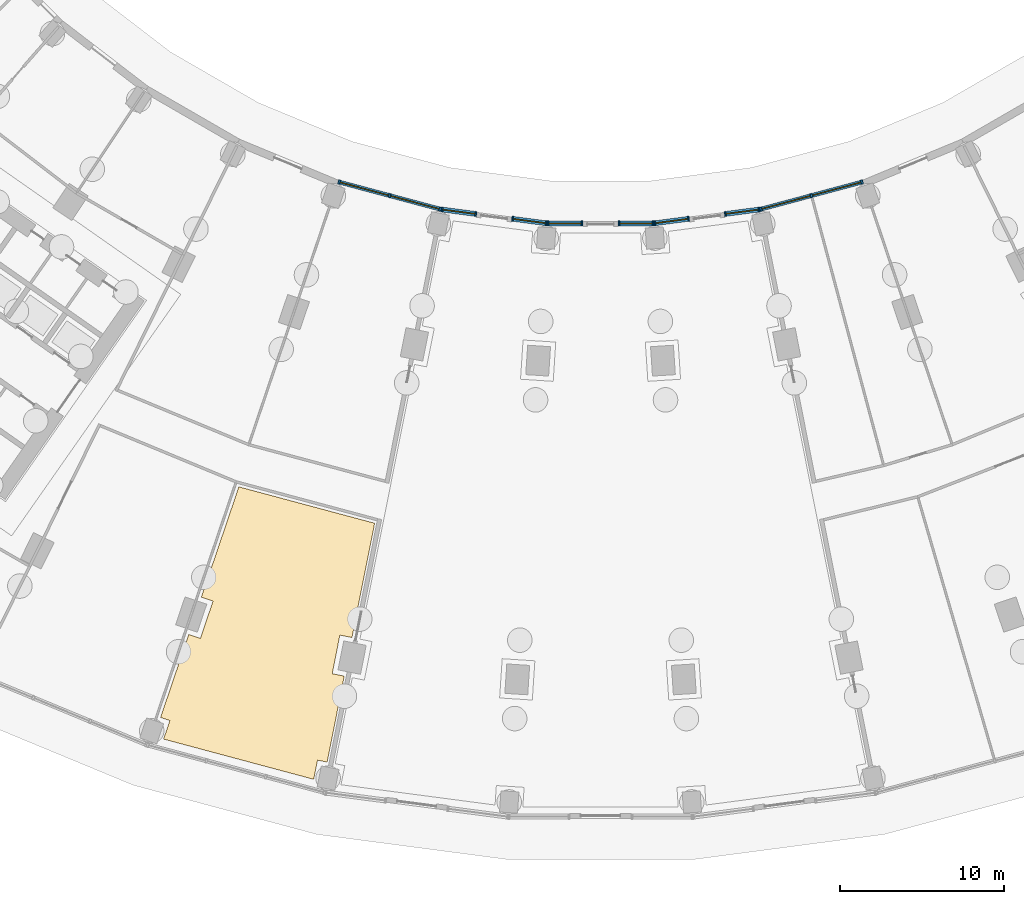
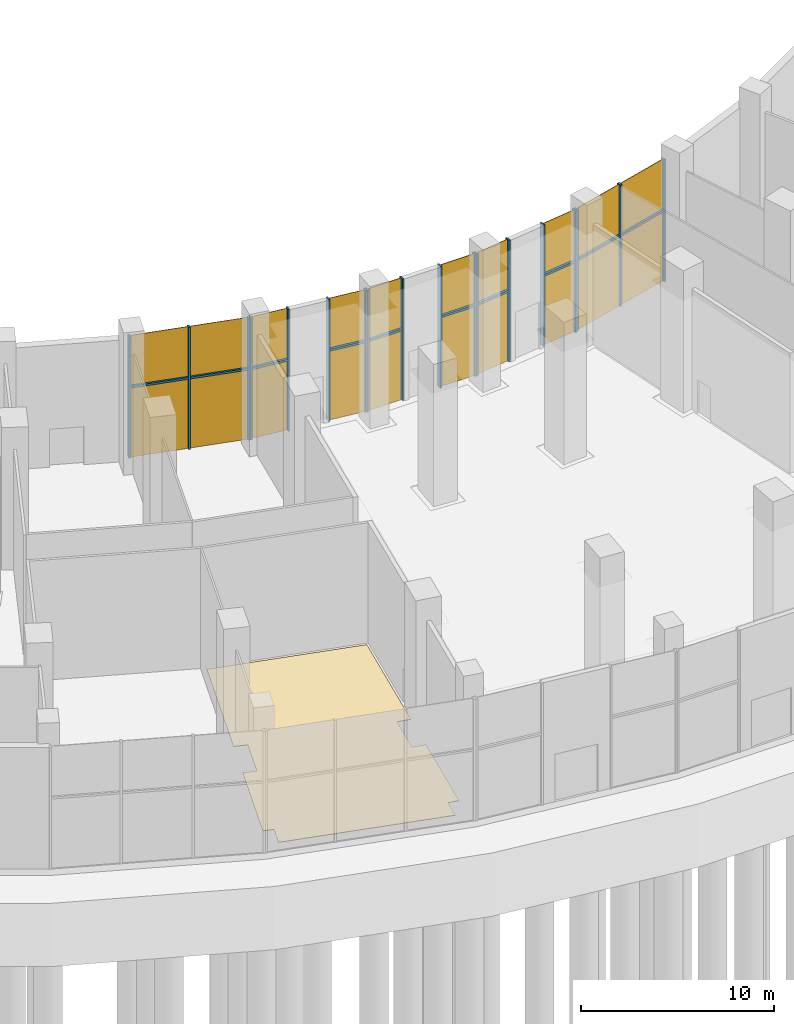
# One storey, part 16 of 23: 28 members, 8 curtain walls, 1 covering.
"""IFC4 building model written with IfcOpenShell, lengths in metres."""

from ifc_helpers import new_model, si_unit, direction, frame, origin, origin_2d, place, context, subcontext, project, spatial, polyline, rectangle, outline, extrude, material, layer, layer_set, material_profile, profile_set, type_object, element, aggregate, save


model = new_model("IFC4")

# Units and contexts
model_context = context("Model", 3, precision=1e-05, world=origin(), true_north=direction((0.0, 1.0)))
body_context = subcontext(model_context, "Body", "Model", "MODEL_VIEW")
ifc_project = project(units=[si_unit("LENGTHUNIT", "METRE"), si_unit("AREAUNIT", "SQUARE_METRE"), si_unit("VOLUMEUNIT", "CUBIC_METRE"), si_unit("PLANEANGLEUNIT", "RADIAN"), si_unit("MASSUNIT", "GRAM", prefix="KILO")], contexts=[model_context])

# Member
ifc_material_1 = material(Name="Aluminium 6063-T6 anodised", Category="aluminium")
ifc_material_profile_1 = material_profile(ifc_material_1, rectangle(XDim=0.25, YDim=0.1201171875, at=origin_2d()))
ifc_profile_set_1 = profile_set([ifc_material_profile_1], Name="Aluminium 6063-T6 anodised")
member_type_1 = type_object("IfcMemberType", Name="Mullion 120 x 250 aluminium, foyer", PredefinedType="MULLION", material=ifc_profile_set_1)
site_placement = place(None, origin())
building_placement = place(site_placement, origin())
storey_placement = place(building_placement, origin())
member_1_placement = place(storey_placement, frame((-15.95947265625, -47.221923828125, 0.0), z_axis=(0.0, 0.0, 1.0), x_axis=(0.258819045103, 0.965925826289, 0.0)))
member_1 = element("IfcMember", 1, at=member_1_placement, type_object=member_type_1, Name="e-cw6-L00-in00/M00", PredefinedType="MULLION", context=body_context, shape_type="SweptSolid", body=[
    extrude(rectangle(XDim=0.25, YDim=0.1201171875, at=origin_2d()), origin(), (0.0, 0.0, 1.0), 7.699951171875),
])

member_2_placement = place(storey_placement, frame((-12.87451171875, -48.048583984375, 0.0), z_axis=(0.0, 0.0, 1.0), x_axis=(0.258819045103, 0.965925826289, 0.0)))
member_2 = element("IfcMember", 2, at=member_2_placement, type_object=member_type_1, Name="e-cw6-L00-in00/M01", PredefinedType="MULLION", context=body_context, shape_type="SweptSolid", body=[
    extrude(rectangle(XDim=0.25, YDim=0.1201171875, at=origin_2d()), origin(), (0.0, 0.0, 1.0), 7.699951171875),
])

member_3_placement = place(storey_placement, frame((-9.78955078125, -48.875244140625, 0.0), z_axis=(0.0, 0.0, 1.0), x_axis=(0.258819045103, 0.965925826289, 0.0)))
member_3 = element("IfcMember", 3, at=member_3_placement, type_object=member_type_1, Name="e-cw6-L00-in00/M02", PredefinedType="MULLION", context=body_context, shape_type="SweptSolid", body=[
    extrude(rectangle(XDim=0.25, YDim=0.1201171875, at=origin_2d()), origin(), (0.0, 0.0, 1.0), 7.699951171875),
])

member_4_placement = place(storey_placement, frame((9.78955078125, -48.875244140625, 0.0), z_axis=(0.0, 0.0, 1.0), x_axis=(-0.258819045103, 0.965925826289, 0.0)))
member_4 = element("IfcMember", 4, at=member_4_placement, type_object=member_type_1, Name="e-cw6-L00-in01/M00", PredefinedType="MULLION", context=body_context, shape_type="SweptSolid", body=[
    extrude(rectangle(XDim=0.25, YDim=0.1201171875, at=origin_2d()), origin(), (0.0, 0.0, 1.0), 7.699951171875),
])

member_5_placement = place(storey_placement, frame((12.87451171875, -48.048583984375, 0.0), z_axis=(0.0, 0.0, 1.0), x_axis=(-0.258819045103, 0.965925826289, 0.0)))
member_5 = element("IfcMember", 5, at=member_5_placement, type_object=member_type_1, Name="e-cw6-L00-in01/M01", PredefinedType="MULLION", context=body_context, shape_type="SweptSolid", body=[
    extrude(rectangle(XDim=0.25, YDim=0.1201171875, at=origin_2d()), origin(), (0.0, 0.0, 1.0), 7.699951171875),
])

member_6_placement = place(storey_placement, frame((15.95947265625, -47.221923828125, 0.0), z_axis=(0.0, 0.0, 1.0), x_axis=(-0.258819045103, 0.965925826289, 0.0)))
member_6 = element("IfcMember", 6, at=member_6_placement, type_object=member_type_1, Name="e-cw6-L00-in01/M02", PredefinedType="MULLION", context=body_context, shape_type="SweptSolid", body=[
    extrude(rectangle(XDim=0.25, YDim=0.1201171875, at=origin_2d()), origin(), (0.0, 0.0, 1.0), 7.699951171875),
])

ifc_material_profile_2 = material_profile(ifc_material_1, rectangle(XDim=0.300048828125, YDim=0.090087890625, at=origin_2d()))
ifc_profile_set_2 = profile_set([ifc_material_profile_2], Name="Aluminium 6063-T6 anodised")
member_type_2 = type_object("IfcMemberType", Name="Mullion 90 x 300 aluminium, concourse", PredefinedType="MULLION", material=ifc_profile_set_2)
member_7_placement = place(storey_placement, frame((-9.674072265625, -48.899169921875, 0.0), z_axis=(0.0, 0.0, 1.0), x_axis=(0.13052619222, 0.991444861374, 0.0)))
member_7 = element("IfcMember", 7, at=member_7_placement, type_object=member_type_2, Name="e-cw2-L00-in00/M00", PredefinedType="MULLION", context=body_context, shape_type="SweptSolid", body=[
    extrude(rectangle(XDim=0.300048828125, YDim=0.090087890625, at=origin_2d()), origin(), (0.0, 0.0, 1.0), 7.699951171875),
])

member_8_placement = place(storey_placement, frame((-7.61279296875, -49.17041015625, 0.0), z_axis=(0.0, 0.0, 1.0), x_axis=(0.13052619222, 0.991444861374, 0.0)))
member_8 = element("IfcMember", 8, at=member_8_placement, type_object=member_type_2, Name="e-cw2-L00-in00/M01", PredefinedType="MULLION", context=body_context, shape_type="SweptSolid", body=[
    extrude(rectangle(XDim=0.300048828125, YDim=0.090087890625, at=origin_2d()), origin(), (0.0, 0.0, 1.0), 7.699951171875),
])

member_9_placement = place(storey_placement, frame((-5.372802734375, -49.46533203125, 0.0), z_axis=(0.0, 0.0, 1.0), x_axis=(0.13052619222, 0.991444861374, 0.0)))
member_9 = element("IfcMember", 9, at=member_9_placement, type_object=member_type_2, Name="e-cw2-L00-in01/M00", PredefinedType="MULLION", context=body_context, shape_type="SweptSolid", body=[
    extrude(rectangle(XDim=0.300048828125, YDim=0.090087890625, at=origin_2d()), origin(), (0.0, 0.0, 1.0), 7.699951171875),
])

member_10_placement = place(storey_placement, frame((-3.3115234375, -49.73681640625, 0.0), z_axis=(0.0, 0.0, 1.0), x_axis=(0.13052619222, 0.991444861374, 0.0)))
member_10 = element("IfcMember", 10, at=member_10_placement, type_object=member_type_2, Name="e-cw2-L00-in01/M01", PredefinedType="MULLION", context=body_context, shape_type="SweptSolid", body=[
    extrude(rectangle(XDim=0.300048828125, YDim=0.090087890625, at=origin_2d()), origin(), (0.0, 0.0, 1.0), 7.699951171875),
])

member_11_placement = place(storey_placement, frame((-3.208740234375, -49.743408203125, 0.0), z_axis=(0.0, 0.0, 1.0), x_axis=(0.0, 1.0, 0.0)))
member_11 = element("IfcMember", 11, at=member_11_placement, type_object=member_type_2, Name="e-cw2-L00-in02/M00", PredefinedType="MULLION", context=body_context, shape_type="SweptSolid", body=[
    extrude(rectangle(XDim=0.300048828125, YDim=0.090087890625, at=origin_2d()), origin(), (0.0, 0.0, 1.0), 7.699951171875),
])

member_12_placement = place(storey_placement, frame((-1.129638671875, -49.743408203125, 0.0), z_axis=(0.0, 0.0, 1.0), x_axis=(0.0, 1.0, 0.0)))
member_12 = element("IfcMember", 12, at=member_12_placement, type_object=member_type_2, Name="e-cw2-L00-in02/M01", PredefinedType="MULLION", context=body_context, shape_type="SweptSolid", body=[
    extrude(rectangle(XDim=0.300048828125, YDim=0.090087890625, at=origin_2d()), origin(), (0.0, 0.0, 1.0), 7.699951171875),
])

member_13_placement = place(storey_placement, frame((1.129638671875, -49.743408203125, 0.0), z_axis=(0.0, 0.0, 1.0), x_axis=(0.0, 1.0, 0.0)))
member_13 = element("IfcMember", 13, at=member_13_placement, type_object=member_type_2, Name="e-cw2-L00-in03/M00", PredefinedType="MULLION", context=body_context, shape_type="SweptSolid", body=[
    extrude(rectangle(XDim=0.300048828125, YDim=0.090087890625, at=origin_2d()), origin(), (0.0, 0.0, 1.0), 7.699951171875),
])

member_14_placement = place(storey_placement, frame((3.208740234375, -49.743408203125, 0.0), z_axis=(0.0, 0.0, 1.0), x_axis=(0.0, 1.0, 0.0)))
member_14 = element("IfcMember", 14, at=member_14_placement, type_object=member_type_2, Name="e-cw2-L00-in03/M01", PredefinedType="MULLION", context=body_context, shape_type="SweptSolid", body=[
    extrude(rectangle(XDim=0.300048828125, YDim=0.090087890625, at=origin_2d()), origin(), (0.0, 0.0, 1.0), 7.699951171875),
])

member_15_placement = place(storey_placement, frame((3.3115234375, -49.73681640625, 0.0), z_axis=(0.0, 0.0, 1.0), x_axis=(-0.13052619222, 0.991444861374, 0.0)))
member_15 = element("IfcMember", 15, at=member_15_placement, type_object=member_type_2, Name="e-cw2-L00-in04/M00", PredefinedType="MULLION", context=body_context, shape_type="SweptSolid", body=[
    extrude(rectangle(XDim=0.300048828125, YDim=0.090087890625, at=origin_2d()), origin(), (0.0, 0.0, 1.0), 7.699951171875),
])

member_16_placement = place(storey_placement, frame((5.372802734375, -49.46533203125, 0.0), z_axis=(0.0, 0.0, 1.0), x_axis=(-0.13052619222, 0.991444861374, 0.0)))
member_16 = element("IfcMember", 16, at=member_16_placement, type_object=member_type_2, Name="e-cw2-L00-in04/M01", PredefinedType="MULLION", context=body_context, shape_type="SweptSolid", body=[
    extrude(rectangle(XDim=0.300048828125, YDim=0.090087890625, at=origin_2d()), origin(), (0.0, 0.0, 1.0), 7.699951171875),
])

member_17_placement = place(storey_placement, frame((7.61279296875, -49.17041015625, 0.0), z_axis=(0.0, 0.0, 1.0), x_axis=(-0.13052619222, 0.991444861374, 0.0)))
member_17 = element("IfcMember", 17, at=member_17_placement, type_object=member_type_2, Name="e-cw2-L00-in05/M00", PredefinedType="MULLION", context=body_context, shape_type="SweptSolid", body=[
    extrude(rectangle(XDim=0.300048828125, YDim=0.090087890625, at=origin_2d()), origin(), (0.0, 0.0, 1.0), 7.699951171875),
])

member_18_placement = place(storey_placement, frame((9.674072265625, -48.899169921875, 0.0), z_axis=(0.0, 0.0, 1.0), x_axis=(-0.13052619222, 0.991444861374, 0.0)))
member_18 = element("IfcMember", 18, at=member_18_placement, type_object=member_type_2, Name="e-cw2-L00-in05/M01", PredefinedType="MULLION", context=body_context, shape_type="SweptSolid", body=[
    extrude(rectangle(XDim=0.300048828125, YDim=0.090087890625, at=origin_2d()), origin(), (0.0, 0.0, 1.0), 7.699951171875),
])

ifc_material_profile_3 = material_profile(ifc_material_1, rectangle(XDim=0.25, YDim=0.1201171875, at=origin_2d()))
ifc_profile_set_3 = profile_set([ifc_material_profile_3], Name="Aluminium 6063-T6 anodised")
member_type_3 = type_object("IfcMemberType", Name="Transom 120 x 250 aluminium, foyer", PredefinedType="USERDEFINED", material=ifc_profile_set_3)
member_19_placement = place(storey_placement, frame((-15.901611328125, -47.2373046875, 4.5), z_axis=(0.965916495508, -0.258853865542, 0.0), x_axis=(0.258853865542, 0.965916495508, 0.0)))
member_19 = element("IfcMember", 19, at=member_19_placement, type_object=member_type_3, Name="e-cw6-L00-in00/T00", ObjectType="TRANSOM", PredefinedType="USERDEFINED", context=body_context, shape_type="SweptSolid", body=[
    extrude(rectangle(XDim=0.25, YDim=0.1201171875, at=origin_2d()), origin(), (0.0, 0.0, 1.0), 3.07373046875),
])

member_20_placement = place(storey_placement, frame((-12.816650390625, -48.06396484375, 4.5), z_axis=(0.965916495508, -0.258853865542, 0.0), x_axis=(0.258853865542, 0.965916495508, 0.0)))
member_20 = element("IfcMember", 20, at=member_20_placement, type_object=member_type_3, Name="e-cw6-L00-in00/T01", ObjectType="TRANSOM", PredefinedType="USERDEFINED", context=body_context, shape_type="SweptSolid", body=[
    extrude(rectangle(XDim=0.25, YDim=0.1201171875, at=origin_2d()), origin(), (0.0, 0.0, 1.0), 3.07373046875),
])

member_21_placement = place(storey_placement, frame((9.84765625, -48.859619140625, 4.5), z_axis=(0.965916495508, 0.258853865542, 0.0), x_axis=(-0.258853865542, 0.965916495508, 0.0)))
member_21 = element("IfcMember", 21, at=member_21_placement, type_object=member_type_3, Name="e-cw6-L00-in01/T00", ObjectType="TRANSOM", PredefinedType="USERDEFINED", context=body_context, shape_type="SweptSolid", body=[
    extrude(rectangle(XDim=0.25, YDim=0.1201171875, at=origin_2d()), origin(), (0.0, 0.0, 1.0), 3.07373046875),
])

member_22_placement = place(storey_placement, frame((12.9326171875, -48.032958984375, 4.5), z_axis=(0.965916495508, 0.258853865542, 0.0), x_axis=(-0.258853865542, 0.965916495508, 0.0)))
member_22 = element("IfcMember", 22, at=member_22_placement, type_object=member_type_3, Name="e-cw6-L00-in01/T01", ObjectType="TRANSOM", PredefinedType="USERDEFINED", context=body_context, shape_type="SweptSolid", body=[
    extrude(rectangle(XDim=0.25, YDim=0.1201171875, at=origin_2d()), origin(), (0.0, 0.0, 1.0), 3.07373046875),
])

ifc_material_profile_4 = material_profile(ifc_material_1, rectangle(XDim=0.300048828125, YDim=0.1201171875, at=origin_2d()))
ifc_profile_set_4 = profile_set([ifc_material_profile_4], Name="Aluminium 6063-T6 anodised")
member_type_4 = type_object("IfcMemberType", Name="Transom 120 x 300 aluminium, concourse", PredefinedType="USERDEFINED", material=ifc_profile_set_4)
member_23_placement = place(storey_placement, frame((-9.629638671875, -48.905029296875, 4.5), z_axis=(0.991452624462, -0.130467212157, 0.0), x_axis=(0.130467212157, 0.991452624462, 0.0)))
member_23 = element("IfcMember", 23, at=member_23_placement, type_object=member_type_4, Name="e-cw2-L00-in00/T00", ObjectType="TRANSOM", PredefinedType="USERDEFINED", context=body_context, shape_type="SweptSolid", body=[
    extrude(rectangle(XDim=0.300048828125, YDim=0.1201171875, at=origin_2d()), origin(), (0.0, 0.0, 1.0), 1.9892578125),
])

member_24_placement = place(storey_placement, frame((-5.328369140625, -49.47119140625, 4.5), z_axis=(0.991436741362, -0.130587855015, 0.0), x_axis=(0.130587855015, 0.991436741362, 0.0)))
member_24 = element("IfcMember", 24, at=member_24_placement, type_object=member_type_4, Name="e-cw2-L00-in01/T00", ObjectType="TRANSOM", PredefinedType="USERDEFINED", context=body_context, shape_type="SweptSolid", body=[
    extrude(rectangle(XDim=0.300048828125, YDim=0.1201171875, at=origin_2d()), origin(), (0.0, 0.0, 1.0), 1.9892578125),
])

member_25_placement = place(storey_placement, frame((-3.163818359375, -49.743408203125, 4.5), z_axis=(1.0, 0.0, 0.0), x_axis=(0.0, 1.0, 0.0)))
member_25 = element("IfcMember", 25, at=member_25_placement, type_object=member_type_4, Name="e-cw2-L00-in02/T00", ObjectType="TRANSOM", PredefinedType="USERDEFINED", context=body_context, shape_type="SweptSolid", body=[
    extrude(rectangle(XDim=0.300048828125, YDim=0.1201171875, at=origin_2d()), origin(), (0.0, 0.0, 1.0), 1.9892578125),
])

member_26_placement = place(storey_placement, frame((1.174560546875, -49.743408203125, 4.5), z_axis=(1.0, 0.0, 0.0), x_axis=(0.0, 1.0, 0.0)))
member_26 = element("IfcMember", 26, at=member_26_placement, type_object=member_type_4, Name="e-cw2-L00-in03/T00", ObjectType="TRANSOM", PredefinedType="USERDEFINED", context=body_context, shape_type="SweptSolid", body=[
    extrude(rectangle(XDim=0.300048828125, YDim=0.1201171875, at=origin_2d()), origin(), (0.0, 0.0, 1.0), 1.9892578125),
])

member_27_placement = place(storey_placement, frame((3.356201171875, -49.73095703125, 4.5), z_axis=(0.991436741362, 0.130587855015, 0.0), x_axis=(-0.130587855015, 0.991436741362, 0.0)))
member_27 = element("IfcMember", 27, at=member_27_placement, type_object=member_type_4, Name="e-cw2-L00-in04/T00", ObjectType="TRANSOM", PredefinedType="USERDEFINED", context=body_context, shape_type="SweptSolid", body=[
    extrude(rectangle(XDim=0.300048828125, YDim=0.1201171875, at=origin_2d()), origin(), (0.0, 0.0, 1.0), 1.9892578125),
])

member_28_placement = place(storey_placement, frame((7.657470703125, -49.16455078125, 4.5), z_axis=(0.991452624462, 0.130467212157, 0.0), x_axis=(-0.130467212157, 0.991452624462, 0.0)))
member_28 = element("IfcMember", 28, at=member_28_placement, type_object=member_type_4, Name="e-cw2-L00-in05/T00", ObjectType="TRANSOM", PredefinedType="USERDEFINED", context=body_context, shape_type="SweptSolid", body=[
    extrude(rectangle(XDim=0.300048828125, YDim=0.1201171875, at=origin_2d()), origin(), (0.0, 0.0, 1.0), 1.9892578125),
])

# Site, building, storey
site = spatial("IfcSite", under=ifc_project, at=site_placement, CompositionType="ELEMENT")
building = spatial("IfcBuilding", under=site, at=building_placement, Name="Qamariyya Broadcast Tower", CompositionType="ELEMENT")
storey = spatial("IfcBuildingStorey", under=building, at=storey_placement, Name="L00", CompositionType="ELEMENT", Elevation=0.0)

# Curtain wall
curtain_wall_type_1 = type_object("IfcCurtainWallType", Name="Concourse entrance curtain wall, structural silicone glazed", PredefinedType="NOTDEFINED", material=ifc_material_1)
curtain_wall_1_placement = place(storey_placement, origin())
curtain_wall_1 = element("IfcCurtainWall", 29, at=curtain_wall_1_placement, inside=storey, type_object=curtain_wall_type_1, Name="e-cw2-L00-in00", PredefinedType="NOTDEFINED", context=body_context, shape_type="SweptSolid", body=[
    extrude(rectangle(XDim=1.9892578125, YDim=0.031982421875, at=origin_2d()), frame((-8.6435546875, -49.03466796875, 0.0), x_axis=(0.991455444758, -0.130445778235, 0.0)), (0.0, 0.0, 1.0), 4.43994140625),
    extrude(rectangle(XDim=1.9892578125, YDim=0.031982421875, at=origin_2d()), frame((-8.6435546875, -49.03466796875, 4.56005859375), x_axis=(0.991455444758, -0.130445778235, 0.0)), (0.0, 0.0, 1.0), 3.139892578125),
])

aggregate(curtain_wall_1, [member_7, member_8, member_23])

curtain_wall_2_placement = place(storey_placement, origin())
curtain_wall_2 = element("IfcCurtainWall", 30, at=curtain_wall_2_placement, inside=storey, type_object=curtain_wall_type_1, Name="e-cw2-L00-in01", PredefinedType="NOTDEFINED", context=body_context, shape_type="SweptSolid", body=[
    extrude(rectangle(XDim=1.9892578125, YDim=0.031982421875, at=origin_2d()), frame((-4.34228515625, -49.60107421875, 0.0), x_axis=(0.991440882539, -0.130556410914, 0.0)), (0.0, 0.0, 1.0), 4.43994140625),
    extrude(rectangle(XDim=1.9892578125, YDim=0.031982421875, at=origin_2d()), frame((-4.34228515625, -49.60107421875, 4.56005859375), x_axis=(0.991440882539, -0.130556410914, 0.0)), (0.0, 0.0, 1.0), 3.139892578125),
])

aggregate(curtain_wall_2, [member_9, member_10, member_24])

curtain_wall_3_placement = place(storey_placement, origin())
curtain_wall_3 = element("IfcCurtainWall", 31, at=curtain_wall_3_placement, inside=storey, type_object=curtain_wall_type_1, Name="e-cw2-L00-in02", PredefinedType="NOTDEFINED", context=body_context, shape_type="SweptSolid", body=[
    extrude(rectangle(XDim=1.9892578125, YDim=0.031982421875, at=origin_2d()), frame((-2.16943359375, -49.743408203125, 0.0), x_axis=(1.0, 0.0, 0.0)), (0.0, 0.0, 1.0), 4.43994140625),
    extrude(rectangle(XDim=1.9892578125, YDim=0.031982421875, at=origin_2d()), frame((-2.16943359375, -49.743408203125, 4.56005859375), x_axis=(1.0, 0.0, 0.0)), (0.0, 0.0, 1.0), 3.139892578125),
])

aggregate(curtain_wall_3, [member_11, member_12, member_25])

curtain_wall_4_placement = place(storey_placement, origin())
curtain_wall_4 = element("IfcCurtainWall", 32, at=curtain_wall_4_placement, inside=storey, type_object=curtain_wall_type_1, Name="e-cw2-L00-in03", PredefinedType="NOTDEFINED", context=body_context, shape_type="SweptSolid", body=[
    extrude(rectangle(XDim=1.9892578125, YDim=0.031982421875, at=origin_2d()), frame((2.16943359375, -49.743408203125, 0.0), x_axis=(1.0, 0.0, 0.0)), (0.0, 0.0, 1.0), 4.43994140625),
    extrude(rectangle(XDim=1.9892578125, YDim=0.031982421875, at=origin_2d()), frame((2.16943359375, -49.743408203125, 4.56005859375), x_axis=(1.0, 0.0, 0.0)), (0.0, 0.0, 1.0), 3.139892578125),
])

aggregate(curtain_wall_4, [member_13, member_14, member_26])

curtain_wall_5_placement = place(storey_placement, origin())
curtain_wall_5 = element("IfcCurtainWall", 33, at=curtain_wall_5_placement, inside=storey, type_object=curtain_wall_type_1, Name="e-cw2-L00-in04", PredefinedType="NOTDEFINED", context=body_context, shape_type="SweptSolid", body=[
    extrude(rectangle(XDim=1.9892578125, YDim=0.031982421875, at=origin_2d()), frame((4.34228515625, -49.60107421875, 0.0), x_axis=(0.991440882539, 0.130556410914, 0.0)), (0.0, 0.0, 1.0), 4.43994140625),
    extrude(rectangle(XDim=1.9892578125, YDim=0.031982421875, at=origin_2d()), frame((4.34228515625, -49.60107421875, 4.56005859375), x_axis=(0.991440882539, 0.130556410914, 0.0)), (0.0, 0.0, 1.0), 3.139892578125),
])

aggregate(curtain_wall_5, [member_15, member_16, member_27])

curtain_wall_6_placement = place(storey_placement, origin())
curtain_wall_6 = element("IfcCurtainWall", 34, at=curtain_wall_6_placement, inside=storey, type_object=curtain_wall_type_1, Name="e-cw2-L00-in05", PredefinedType="NOTDEFINED", context=body_context, shape_type="SweptSolid", body=[
    extrude(rectangle(XDim=1.9892578125, YDim=0.031982421875, at=origin_2d()), frame((8.6435546875, -49.03466796875, 0.0), x_axis=(0.991455444758, 0.130445778235, 0.0)), (0.0, 0.0, 1.0), 4.43994140625),
    extrude(rectangle(XDim=1.9892578125, YDim=0.031982421875, at=origin_2d()), frame((8.6435546875, -49.03466796875, 4.56005859375), x_axis=(0.991455444758, 0.130445778235, 0.0)), (0.0, 0.0, 1.0), 3.139892578125),
])

aggregate(curtain_wall_6, [member_17, member_18, member_28])

curtain_wall_type_2 = type_object("IfcCurtainWallType", Name="Studio foyer curtain wall, deep aluminium mullions", PredefinedType="NOTDEFINED", material=ifc_material_1)
curtain_wall_7_placement = place(storey_placement, origin())
curtain_wall_7 = element("IfcCurtainWall", 35, at=curtain_wall_7_placement, inside=storey, type_object=curtain_wall_type_2, Name="e-cw6-L00-in00", PredefinedType="NOTDEFINED", context=body_context, shape_type="SweptSolid", body=[
    extrude(rectangle(XDim=3.07373046875, YDim=0.031982421875, at=origin_2d()), frame((-14.417236328125, -47.63525390625, 0.0), x_axis=(0.965924774496, -0.258822970414, 0.0)), (0.0, 0.0, 1.0), 4.43994140625),
    extrude(rectangle(XDim=3.07373046875, YDim=0.031982421875, at=origin_2d()), frame((-14.417236328125, -47.63525390625, 4.56005859375), x_axis=(0.965924774496, -0.258822970414, 0.0)), (0.0, 0.0, 1.0), 3.139892578125),
    extrude(rectangle(XDim=3.07373046875, YDim=0.031982421875, at=origin_2d()), frame((-11.33203125, -48.461669921875, 0.0), x_axis=(0.965924774496, -0.258822970414, 0.0)), (0.0, 0.0, 1.0), 4.43994140625),
    extrude(rectangle(XDim=3.07373046875, YDim=0.031982421875, at=origin_2d()), frame((-11.33203125, -48.461669921875, 4.56005859375), x_axis=(0.965924774496, -0.258822970414, 0.0)), (0.0, 0.0, 1.0), 3.139892578125),
])

aggregate(curtain_wall_7, [member_1, member_2, member_3, member_19, member_20])

curtain_wall_8_placement = place(storey_placement, origin())
curtain_wall_8 = element("IfcCurtainWall", 36, at=curtain_wall_8_placement, inside=storey, type_object=curtain_wall_type_2, Name="e-cw6-L00-in01", PredefinedType="NOTDEFINED", context=body_context, shape_type="SweptSolid", body=[
    extrude(rectangle(XDim=3.07373046875, YDim=0.031982421875, at=origin_2d()), frame((11.33203125, -48.461669921875, 0.0), x_axis=(0.965924774496, 0.258822970414, 0.0)), (0.0, 0.0, 1.0), 4.43994140625),
    extrude(rectangle(XDim=3.07373046875, YDim=0.031982421875, at=origin_2d()), frame((11.33203125, -48.461669921875, 4.56005859375), x_axis=(0.965924774496, 0.258822970414, 0.0)), (0.0, 0.0, 1.0), 3.139892578125),
    extrude(rectangle(XDim=3.07373046875, YDim=0.031982421875, at=origin_2d()), frame((14.417236328125, -47.63525390625, 0.0), x_axis=(0.965924774496, 0.258822970414, 0.0)), (0.0, 0.0, 1.0), 4.43994140625),
    extrude(rectangle(XDim=3.07373046875, YDim=0.031982421875, at=origin_2d()), frame((14.417236328125, -47.63525390625, 4.56005859375), x_axis=(0.965924774496, 0.258822970414, 0.0)), (0.0, 0.0, 1.0), 3.139892578125),
])

aggregate(curtain_wall_8, [member_4, member_5, member_6, member_21, member_22])

# Covering
ifc_material_2 = material(Name="Limestone flooring", Category="masonry")
ifc_layer = layer(ifc_material_2, 0.030029296875)
ifc_layer_set = layer_set([ifc_layer], Name="Limestone flooring 30")
covering_type = type_object("IfcCoveringType", Name="Limestone flooring 30", PredefinedType="FLOORING", material=ifc_layer_set)
covering_placement = place(storey_placement, origin())
element("IfcCovering", 37, at=covering_placement, inside=storey, type_object=covering_type, Name="Flooring L00-F01", PredefinedType="FLOORING", context=body_context, shape_type="SweptSolid", body=[
    extrude(outline(polyline([(-15.179443359375, -75.0302734375), (-15.9150390625, -74.884033203125), (-16.383056640625, -77.23779296875), (-15.6474609375, -77.38427734375), (-16.69140625, -82.63134765625), (-17.27978515625, -82.514404296875), (-17.512451171875, -83.684326171875), (-26.67578125, -81.22900390625), (-26.29248046875, -80.099365234375), (-26.860595703125, -79.906494140625), (-25.140869140625, -74.840576171875), (-24.4306640625, -75.08154296875), (-23.6591796875, -72.808837890625), (-24.369384765625, -72.56787109375), (-22.08203125, -65.82958984375), (-13.791015625, -68.05126953125), (-15.179443359375, -75.0302734375)])), origin(), (0.0, 0.0, 1.0), 0.030029296875),
])

save(model, "model.ifc")
